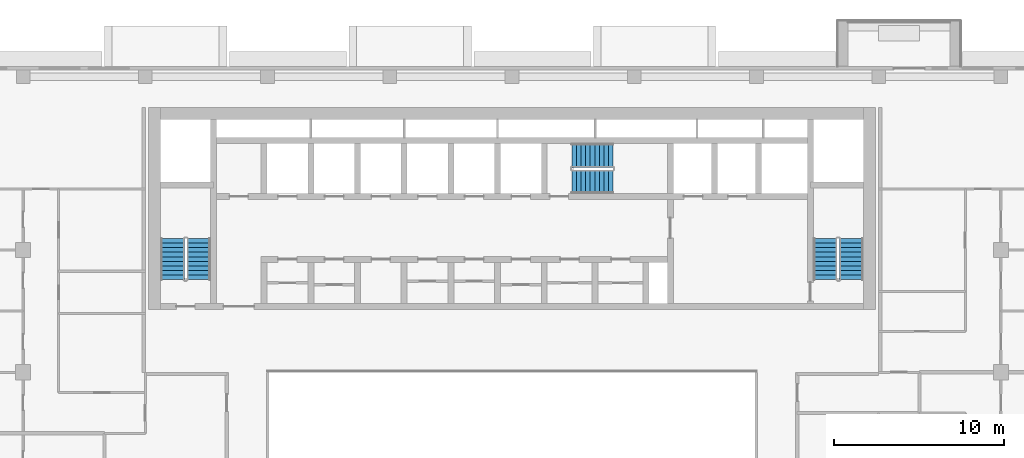
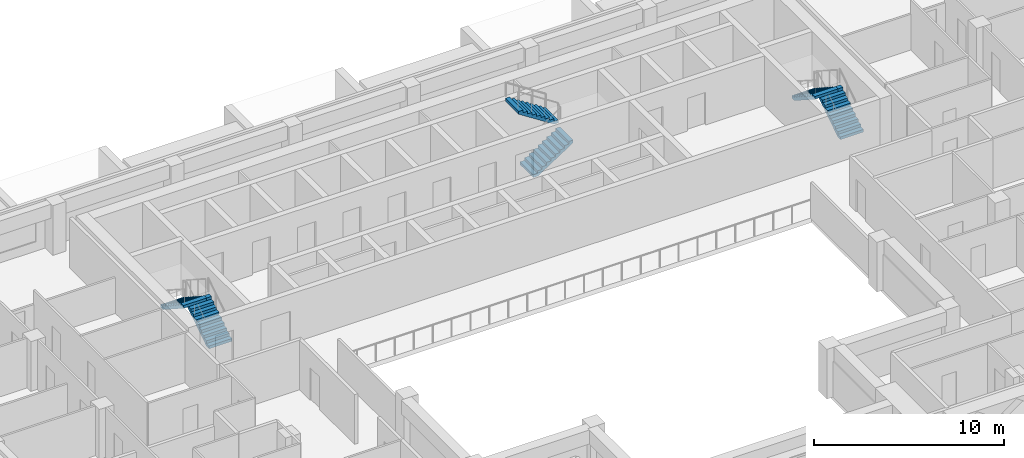
# One storey, part 13 of 20: 6 stair flights, 3 elements without a shape of their own.
"""IFC4 building model written with IfcOpenShell, lengths in metres."""

from ifc_helpers import new_model, si_unit, direction, frame, origin, place, context, subcontext, project, spatial, polyline, outline, extrude, material, layer, layer_set, type_object, element, aggregate, save


model = new_model("IFC4")

# Units and contexts
model_context = context("Model", 3, precision=1e-05, world=origin(), true_north=direction((0.0, 1.0)))
body_context = subcontext(model_context, "Body", "Model", "MODEL_VIEW")
ifc_project = project(units=[si_unit("LENGTHUNIT", "METRE"), si_unit("AREAUNIT", "SQUARE_METRE"), si_unit("VOLUMEUNIT", "CUBIC_METRE"), si_unit("PLANEANGLEUNIT", "RADIAN"), si_unit("MASSUNIT", "GRAM", prefix="KILO")], contexts=[model_context])

# Site, building, storey
site_placement = place(None, origin())
site = spatial("IfcSite", under=ifc_project, at=site_placement, CompositionType="ELEMENT")
building_placement = place(site_placement, origin())
building = spatial("IfcBuilding", under=site, at=building_placement, Name="Saffron Iwan Residences", CompositionType="ELEMENT")
storey_placement = place(building_placement, frame((0.0, 0.0, 185.0)))
storey = spatial("IfcBuildingStorey", under=building, at=storey_placement, Name="L49", CompositionType="ELEMENT", Elevation=185.0)

# Stair, stair flights
ifc_material = material(Name="Concrete C50/60", Category="concrete")
stair_type = type_object("IfcStairType", Name="Stair ST-CORE", PredefinedType="HALF_TURN_STAIR", material=ifc_material)
stair_1_placement = place(storey_placement, origin())
stair_1 = element("IfcStair", 1, at=stair_1_placement, inside=storey, type_object=stair_type, Name="L49 Exit Stair ST-W", PredefinedType="HALF_TURN_STAIR")
ifc_layer = layer(ifc_material, 0.14990234375)
ifc_layer_set = layer_set([ifc_layer], Name="Concrete C50/60")
stair_flight_type = type_object("IfcStairFlightType", Name="Stair flight SFL-RC", PredefinedType="STRAIGHT", material=ifc_layer_set)
stair_flight_1_placement = place(storey_placement, frame((31.949951171875, 67.85009765625, 0.0), z_axis=(0.0, 0.0, 1.0), x_axis=(0.0, 1.0, 0.0)))
stair_flight_1 = element("IfcStairFlight", 2, at=stair_flight_1_placement, type_object=stair_flight_type, Name="ST-W flight 1", NumberOfRisers=10, NumberOfTreads=9, PredefinedType="STRAIGHT", RiserHeight=0.175, TreadLength=0.27, context=body_context, shape_type="SweptSolid", body=[
    extrude(outline(polyline([(0.0, 0.0), (0.0, 0.175048828125), (0.27001953125, 0.175048828125), (0.27001953125, 0.35009765625), (0.5400390625, 0.35009765625), (0.5400390625, 0.52490234375), (0.81005859375, 0.52490234375), (0.81005859375, 0.699951171875), (1.080078125, 0.699951171875), (1.080078125, 0.875), (1.35009765625, 0.875), (1.35009765625, 1.050048828125), (1.6201171875, 1.050048828125), (1.6201171875, 1.22509765625), (1.889892578125, 1.22509765625), (1.889892578125, 1.39990234375), (2.159912109375, 1.39990234375), (2.159912109375, 1.574951171875), (2.429931640625, 1.574951171875), (2.429931640625, 1.75), (2.429931640625, 1.396484375), (0.275634765625, 0.0), (0.0, 0.0)])), frame((0.0, 0.699951171875, 0.0), z_axis=(0.0, -1.0, 0.0), x_axis=(1.0, 0.0, 0.0)), (0.0, 0.0, 1.0), 1.39990234375),
])
stair_flight_2_placement = place(storey_placement, frame((30.39990234375, 70.280029296875, 1.75), z_axis=(0.0, 0.0, 1.0), x_axis=(0.0, -1.0, 0.0)))
stair_flight_2 = element("IfcStairFlight", 3, at=stair_flight_2_placement, type_object=stair_flight_type, Name="ST-W flight 2", NumberOfRisers=10, NumberOfTreads=9, PredefinedType="STRAIGHT", RiserHeight=0.175, TreadLength=0.27, context=body_context, shape_type="SweptSolid", body=[
    extrude(outline(polyline([(0.0, 0.0), (0.0, 0.175048828125), (0.27001953125, 0.175048828125), (0.27001953125, 0.35009765625), (0.5400390625, 0.35009765625), (0.5400390625, 0.52490234375), (0.81005859375, 0.52490234375), (0.81005859375, 0.699951171875), (1.080078125, 0.699951171875), (1.080078125, 0.875), (1.35009765625, 0.875), (1.35009765625, 1.050048828125), (1.6201171875, 1.050048828125), (1.6201171875, 1.22509765625), (1.889892578125, 1.22509765625), (1.889892578125, 1.39990234375), (2.159912109375, 1.39990234375), (2.159912109375, 1.574951171875), (2.429931640625, 1.574951171875), (2.429931640625, 1.75), (2.429931640625, 1.396484375), (0.275634765625, 0.0), (0.0, 0.0)])), frame((0.0, 0.699951171875, 0.0), z_axis=(0.0, -1.0, 0.0), x_axis=(1.0, 0.0, 0.0)), (0.0, 0.0, 1.0), 1.39990234375),
])
aggregate(stair_1, [stair_flight_1, stair_flight_2])

stair_2_placement = place(storey_placement, origin())
stair_2 = element("IfcStair", 4, at=stair_2_placement, inside=storey, type_object=stair_type, Name="L49 Exit Stair ST-C", PredefinedType="HALF_TURN_STAIR")
stair_flight_3_placement = place(storey_placement, frame((53.925048828125, 73.625, 0.0), z_axis=(0.0, 0.0, 1.0), x_axis=(1.0, 0.0, 0.0)))
stair_flight_3 = element("IfcStairFlight", 5, at=stair_flight_3_placement, type_object=stair_flight_type, Name="ST-C flight 1", NumberOfRisers=10, NumberOfTreads=9, PredefinedType="STRAIGHT", RiserHeight=0.175, TreadLength=0.27, context=body_context, shape_type="SweptSolid", body=[
    extrude(outline(polyline([(0.0, 0.0), (0.0, 0.175048828125), (0.27001953125, 0.175048828125), (0.27001953125, 0.35009765625), (0.5400390625, 0.35009765625), (0.5400390625, 0.52490234375), (0.81005859375, 0.52490234375), (0.81005859375, 0.699951171875), (1.080078125, 0.699951171875), (1.080078125, 0.875), (1.35009765625, 0.875), (1.35009765625, 1.050048828125), (1.6201171875, 1.050048828125), (1.6201171875, 1.22509765625), (1.889892578125, 1.22509765625), (1.889892578125, 1.39990234375), (2.159912109375, 1.39990234375), (2.159912109375, 1.574951171875), (2.429931640625, 1.574951171875), (2.429931640625, 1.75), (2.429931640625, 1.396484375), (0.275634765625, 0.0), (0.0, 0.0)])), frame((0.0, 0.699951171875, 0.0), z_axis=(0.0, -1.0, 0.0), x_axis=(1.0, 0.0, 0.0)), (0.0, 0.0, 1.0), 1.39990234375),
])
stair_flight_4_placement = place(storey_placement, frame((56.35498046875, 75.175048828125, 1.75), z_axis=(0.0, 0.0, 1.0), x_axis=(-1.0, 0.0, 0.0)))
stair_flight_4 = element("IfcStairFlight", 6, at=stair_flight_4_placement, type_object=stair_flight_type, Name="ST-C flight 2", NumberOfRisers=10, NumberOfTreads=9, PredefinedType="STRAIGHT", RiserHeight=0.175, TreadLength=0.27, context=body_context, shape_type="SweptSolid", body=[
    extrude(outline(polyline([(0.0, 0.0), (0.0, 0.175048828125), (0.27001953125, 0.175048828125), (0.27001953125, 0.35009765625), (0.5400390625, 0.35009765625), (0.5400390625, 0.52490234375), (0.81005859375, 0.52490234375), (0.81005859375, 0.699951171875), (1.080078125, 0.699951171875), (1.080078125, 0.875), (1.35009765625, 0.875), (1.35009765625, 1.050048828125), (1.6201171875, 1.050048828125), (1.6201171875, 1.22509765625), (1.889892578125, 1.22509765625), (1.889892578125, 1.39990234375), (2.159912109375, 1.39990234375), (2.159912109375, 1.574951171875), (2.429931640625, 1.574951171875), (2.429931640625, 1.75), (2.429931640625, 1.396484375), (0.275634765625, 0.0), (0.0, 0.0)])), frame((0.0, 0.699951171875, 0.0), z_axis=(0.0, -1.0, 0.0), x_axis=(1.0, 0.0, 0.0)), (0.0, 0.0, 1.0), 1.39990234375),
])
aggregate(stair_2, [stair_flight_3, stair_flight_4])

stair_3_placement = place(storey_placement, origin())
stair_3 = element("IfcStair", 7, at=stair_3_placement, inside=storey, type_object=stair_type, Name="L49 Exit Stair ST-E", PredefinedType="HALF_TURN_STAIR")
stair_flight_5_placement = place(storey_placement, frame((70.39990234375, 67.85009765625, 0.0), z_axis=(0.0, 0.0, 1.0), x_axis=(0.0, 1.0, 0.0)))
stair_flight_5 = element("IfcStairFlight", 8, at=stair_flight_5_placement, type_object=stair_flight_type, Name="ST-E flight 1", NumberOfRisers=10, NumberOfTreads=9, PredefinedType="STRAIGHT", RiserHeight=0.175, TreadLength=0.27, context=body_context, shape_type="SweptSolid", body=[
    extrude(outline(polyline([(0.0, 0.0), (0.0, 0.175048828125), (0.27001953125, 0.175048828125), (0.27001953125, 0.35009765625), (0.5400390625, 0.35009765625), (0.5400390625, 0.52490234375), (0.81005859375, 0.52490234375), (0.81005859375, 0.699951171875), (1.080078125, 0.699951171875), (1.080078125, 0.875), (1.35009765625, 0.875), (1.35009765625, 1.050048828125), (1.6201171875, 1.050048828125), (1.6201171875, 1.22509765625), (1.889892578125, 1.22509765625), (1.889892578125, 1.39990234375), (2.159912109375, 1.39990234375), (2.159912109375, 1.574951171875), (2.429931640625, 1.574951171875), (2.429931640625, 1.75), (2.429931640625, 1.396484375), (0.275634765625, 0.0), (0.0, 0.0)])), frame((0.0, 0.699951171875, 0.0), z_axis=(0.0, -1.0, 0.0), x_axis=(1.0, 0.0, 0.0)), (0.0, 0.0, 1.0), 1.39990234375),
])
stair_flight_6_placement = place(storey_placement, frame((68.85009765625, 70.280029296875, 1.75), z_axis=(0.0, 0.0, 1.0), x_axis=(0.0, -1.0, 0.0)))
stair_flight_6 = element("IfcStairFlight", 9, at=stair_flight_6_placement, type_object=stair_flight_type, Name="ST-E flight 2", NumberOfRisers=10, NumberOfTreads=9, PredefinedType="STRAIGHT", RiserHeight=0.175, TreadLength=0.27, context=body_context, shape_type="SweptSolid", body=[
    extrude(outline(polyline([(0.0, 0.0), (0.0, 0.175048828125), (0.27001953125, 0.175048828125), (0.27001953125, 0.35009765625), (0.5400390625, 0.35009765625), (0.5400390625, 0.52490234375), (0.81005859375, 0.52490234375), (0.81005859375, 0.699951171875), (1.080078125, 0.699951171875), (1.080078125, 0.875), (1.35009765625, 0.875), (1.35009765625, 1.050048828125), (1.6201171875, 1.050048828125), (1.6201171875, 1.22509765625), (1.889892578125, 1.22509765625), (1.889892578125, 1.39990234375), (2.159912109375, 1.39990234375), (2.159912109375, 1.574951171875), (2.429931640625, 1.574951171875), (2.429931640625, 1.75), (2.429931640625, 1.396484375), (0.275634765625, 0.0), (0.0, 0.0)])), frame((0.0, 0.699951171875, 0.0), z_axis=(0.0, -1.0, 0.0), x_axis=(1.0, 0.0, 0.0)), (0.0, 0.0, 1.0), 1.39990234375),
])
aggregate(stair_3, [stair_flight_5, stair_flight_6])

save(model, "model.ifc")
